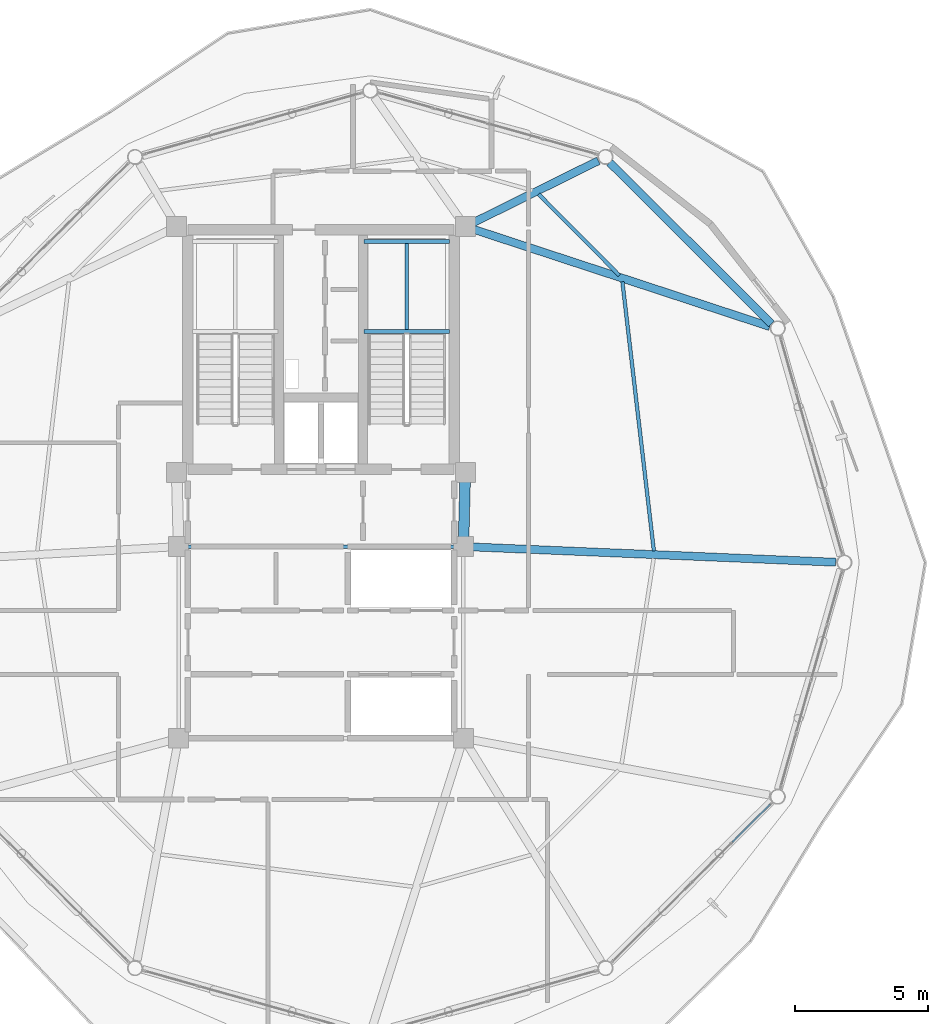
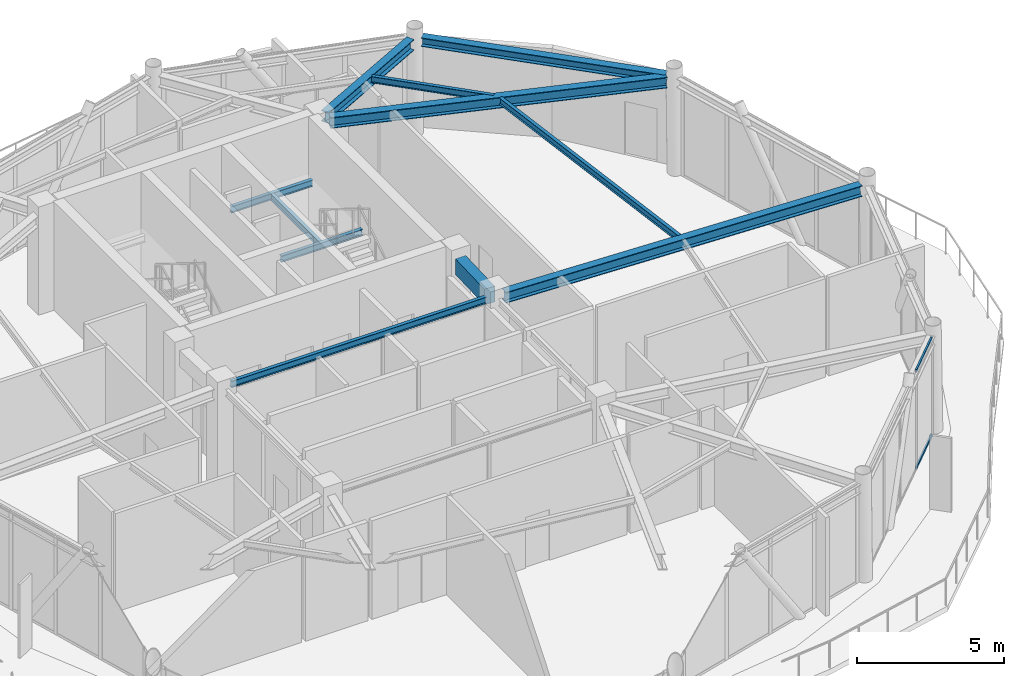
# One storey, part 12 of 24: 11 beams, 2 members, 1 element without a shape of its own.
"""IFC4 building model written with IfcOpenShell, lengths in metres."""

from ifc_helpers import new_model, si_unit, direction, frame, origin, origin_2d, place, context, subcontext, project, spatial, rectangle, hollow_rectangle, i_section, extrude, material, layer, layer_set, material_profile, profile_set, type_object, element, aggregate, save


model = new_model("IFC4")

# Units and contexts
model_context = context("Model", 3, precision=1e-05, world=origin(), true_north=direction((0.0, 1.0)))
body_context = subcontext(model_context, "Body", "Model", "MODEL_VIEW")
ifc_project = project(units=[si_unit("LENGTHUNIT", "METRE"), si_unit("AREAUNIT", "SQUARE_METRE"), si_unit("VOLUMEUNIT", "CUBIC_METRE"), si_unit("PLANEANGLEUNIT", "RADIAN"), si_unit("MASSUNIT", "GRAM", prefix="KILO")], contexts=[model_context])

# Site, building, storey
site_placement = place(None, origin())
site = spatial("IfcSite", under=ifc_project, at=site_placement, CompositionType="ELEMENT")
building_placement = place(site_placement, origin())
building = spatial("IfcBuilding", under=site, at=building_placement, Name="Varnakorn Sky Granary", CompositionType="ELEMENT")
storey_placement = place(building_placement, frame((0.0, 0.0, 285.0)))
storey = spatial("IfcBuildingStorey", under=building, at=storey_placement, Name="L73", CompositionType="ELEMENT", Elevation=285.0)

# Beams
ifc_material_1 = material(Name="Concrete C50/60", Category="concrete")
ifc_material_profile_1 = material_profile(ifc_material_1, rectangle(XDim=0.39990234375, YDim=0.64990234375, at=origin_2d()), Name="RC 400x650")
ifc_profile_set_1 = profile_set([ifc_material_profile_1], Name="Concrete C50/60")
beam_type_1 = type_object("IfcBeamType", Name="BM-LIN-650", PredefinedType="LINTEL", material=ifc_profile_set_1)
beam_1_placement = place(storey_placement, frame((8.4111328125, 3.025146484375, 3.7548828125), z_axis=(-0.025227817192, -0.999681727971, 0.0), x_axis=(0.999681727971, -0.025227817192, 0.0)))
element("IfcBeam", 1, at=beam_1_placement, inside=storey, type_object=beam_type_1, Name="Core Spine Framing Beam 2 L73", PredefinedType="LINTEL", context=body_context, shape_type="SweptSolid", body=[
    extrude(rectangle(XDim=0.39990234375, YDim=0.64990234375, at=origin_2d()), origin(), (0.0, 0.0, 1.0), 2.071044921875),
])
ifc_material_2 = material(Name="Steel S355JR", Category="steel")
ifc_material_profile_2 = material_profile(ifc_material_2, i_section(OverallWidth=0.135009765625, OverallDepth=0.27001953125, WebThickness=0.006591796875, FlangeThickness=0.01025390625, at=origin_2d()), Name="IPE 270")
ifc_profile_set_2 = profile_set([ifc_material_profile_2], Name="Steel S355JR")
beam_type_2 = type_object("IfcBeamType", Name="BM-LND-270", PredefinedType="BEAM", material=ifc_profile_set_2)
for number, where, z_axis, x_axis, name in (
    (2, (4.6201171875, 8.679931640625, 1.9150390625), (1.0, 0.0, 0.0), (0.0, 1.0, 0.0), "Stair ST-2 Landing Trimmer Beam A L73-1"),
    (3, (4.6201171875, 12.06005859375, 1.9150390625), (1.0, 0.0, 0.0), (0.0, 1.0, 0.0), "Stair ST-2 Landing Trimmer Beam B L73-1"),
):
    element("IfcBeam", number, at=place(storey_placement, frame(where, z_axis=z_axis, x_axis=x_axis)), inside=storey, type_object=beam_type_2, Name=name, PredefinedType="BEAM", context=body_context, shape_type="SweptSolid", body=[
        extrude(i_section(OverallWidth=0.135009765625, OverallDepth=0.27001953125, WebThickness=0.006591796875, FlangeThickness=0.01025390625, at=origin_2d()), origin(), (0.0, 0.0, 1.0), 3.199951171875),
    ])
beam_2_placement = place(storey_placement, frame((6.219970703125, 8.679931640625, 1.9150390625), z_axis=(0.0, 1.0, 0.0), x_axis=(-1.0, 0.0, 0.0)))
element("IfcBeam", 4, at=beam_2_placement, inside=storey, type_object=beam_type_2, Name="Stair ST-2 Landing Cross Beam C L73-1", PredefinedType="BEAM", context=body_context, shape_type="SweptSolid", body=[
    extrude(i_section(OverallWidth=0.135009765625, OverallDepth=0.27001953125, WebThickness=0.006591796875, FlangeThickness=0.01025390625, at=origin_2d()), origin(), (0.0, 0.0, 1.0), 3.380126953125),
])
ifc_material_profile_3 = material_profile(ifc_material_2, i_section(OverallWidth=0.300048828125, OverallDepth=0.449951171875, WebThickness=0.013916015625, FlangeThickness=0.02587890625, at=origin_2d()), Name="HE 450 B")
ifc_profile_set_3 = profile_set([ifc_material_profile_3], Name="Steel S355JR")
beam_type_3 = type_object("IfcBeamType", Name="BM-RAD-Z5", PredefinedType="BEAM", material=ifc_profile_set_3)
beam_3_placement = place(storey_placement, frame((8.70458984375, 0.585205078125, 3.85498046875), z_axis=(0.999113895041, -0.042088296906, 0.0), x_axis=(0.042088296906, 0.999113895041, 0.0)))
element("IfcBeam", 5, at=beam_3_placement, inside=storey, type_object=beam_type_3, Name="Radial Floor Girder RG01 L73", PredefinedType="BEAM", context=body_context, shape_type="SweptSolid", body=[
    extrude(i_section(OverallWidth=0.300048828125, OverallDepth=0.449951171875, WebThickness=0.013916015625, FlangeThickness=0.02587890625, at=origin_2d()), origin(), (0.0, 0.0, 1.0), 13.643310546875),
])
beam_4_placement = place(storey_placement, frame((8.75732421875, 12.50927734375, 3.85498046875), z_axis=(0.950074513086, -0.312023107453, 0.0), x_axis=(0.312023107453, 0.950074513086, 0.0)))
element("IfcBeam", 6, at=beam_4_placement, inside=storey, type_object=beam_type_3, Name="Radial Floor Girder RG02 L73", PredefinedType="BEAM", context=body_context, shape_type="SweptSolid", body=[
    extrude(i_section(OverallWidth=0.300048828125, OverallDepth=0.449951171875, WebThickness=0.013916015625, FlangeThickness=0.02587890625, at=origin_2d()), origin(), (0.0, 0.0, 1.0), 11.679443359375),
])
beam_5_placement = place(storey_placement, frame((8.73828125, 12.77734375, 3.85498046875), z_axis=(0.896251632853, 0.443545950955, 0.0), x_axis=(-0.443545950955, 0.896251632853, 0.0)))
element("IfcBeam", 7, at=beam_5_placement, inside=storey, type_object=beam_type_3, Name="Radial Floor Girder RG03 L73", PredefinedType="BEAM", context=body_context, shape_type="SweptSolid", body=[
    extrude(i_section(OverallWidth=0.300048828125, OverallDepth=0.449951171875, WebThickness=0.013916015625, FlangeThickness=0.02587890625, at=origin_2d()), origin(), (0.0, 0.0, 1.0), 5.22412109375),
])
ifc_material_profile_4 = material_profile(ifc_material_2, i_section(OverallWidth=0.135009765625, OverallDepth=0.27001953125, WebThickness=0.006591796875, FlangeThickness=0.01025390625, at=origin_2d()), Name="IPE 270")
ifc_profile_set_4 = profile_set([ifc_material_profile_4], Name="Steel S355JR")
beam_type_4 = type_object("IfcBeamType", Name="BM-SEC-Z5", PredefinedType="BEAM", material=ifc_profile_set_4)
beam_6_placement = place(storey_placement, frame((15.50390625, 0.437255859375, 3.945068359375), z_axis=(-0.116125981815, 0.993234492125, 0.0), x_axis=(-0.993234492125, -0.116125981815, 0.0)))
element("IfcBeam", 8, at=beam_6_placement, inside=storey, type_object=beam_type_4, Name="Secondary Floor Chord Beam MSB01 L73", PredefinedType="BEAM", context=body_context, shape_type="SweptSolid", body=[
    extrude(i_section(OverallWidth=0.135009765625, OverallDepth=0.27001953125, WebThickness=0.006591796875, FlangeThickness=0.01025390625, at=origin_2d()), origin(), (0.0, 0.0, 1.0), 10.1796875),
])
beam_7_placement = place(storey_placement, frame((14.206787109375, 10.786376953125, 3.945068359375), z_axis=(-0.704603368992, 0.709601361614, 0.0), x_axis=(-0.709601361614, -0.704603368992, 0.0)))
element("IfcBeam", 9, at=beam_7_placement, inside=storey, type_object=beam_type_4, Name="Secondary Floor Chord Beam MSB02 L73", PredefinedType="BEAM", context=body_context, shape_type="SweptSolid", body=[
    extrude(i_section(OverallWidth=0.135009765625, OverallDepth=0.27001953125, WebThickness=0.006591796875, FlangeThickness=0.01025390625, at=origin_2d()), origin(), (0.0, 0.0, 1.0), 4.298583984375),
])
beam_8_placement = place(storey_placement, frame((-1.9951171875, 0.60009765625, 3.945068359375), z_axis=(1.0, 0.0, 0.0), x_axis=(0.0, 1.0, 0.0)))
element("IfcBeam", 10, at=beam_8_placement, inside=storey, type_object=beam_type_4, Name="Core Spine Framing Beam 5 L73", PredefinedType="BEAM", context=body_context, shape_type="SweptSolid", body=[
    extrude(i_section(OverallWidth=0.135009765625, OverallDepth=0.27001953125, WebThickness=0.006591796875, FlangeThickness=0.01025390625, at=origin_2d()), origin(), (0.0, 0.0, 1.0), 9.990234375),
])
ifc_material_profile_5 = material_profile(ifc_material_2, i_section(OverallWidth=0.300048828125, OverallDepth=0.360107421875, WebThickness=0.012451171875, FlangeThickness=0.0224609375, at=origin_2d()), Name="HE 360 B")
ifc_profile_set_5 = profile_set([ifc_material_profile_5], Name="Steel S355JR")
beam_type_5 = type_object("IfcBeamType", Name="BM-SPD-Z5", PredefinedType="SPANDREL", material=ifc_profile_set_5)
beam_9_placement = place(storey_placement, frame((19.917724609375, 8.96923828125, 3.89990234375), z_axis=(-0.708116637558, 0.706095480522, 0.0), x_axis=(-0.706095480522, -0.708116637558, 0.0)))
element("IfcBeam", 11, at=beam_9_placement, inside=storey, type_object=beam_type_5, Name="Perimeter Spandrel Ring Beam RB02 L73", PredefinedType="SPANDREL", context=body_context, shape_type="SweptSolid", body=[
    extrude(i_section(OverallWidth=0.300048828125, OverallDepth=0.360107421875, WebThickness=0.012451171875, FlangeThickness=0.0224609375, at=origin_2d()), origin(), (0.0, 0.0, 1.0), 8.576171875),
])

# Curtain wall, members
ifc_material_3 = material(Name="Anodised Bronze Aluminium Alloy 6063-T6", Category="aluminium")
ifc_layer = layer(ifc_material_3, 0.159912109375, Name="Anodised Bronze Aluminium Alloy 6063-T6")
ifc_layer_set = layer_set([ifc_layer], Name="Anodised Bronze Aluminium Alloy 6063-T6")
curtain_wall_type = type_object("IfcCurtainWallType", Name="CW-OFF-1", PredefinedType="USERDEFINED", material=ifc_layer_set)
curtain_wall_placement = place(storey_placement, origin())
curtain_wall = element("IfcCurtainWall", 12, at=curtain_wall_placement, inside=storey, type_object=curtain_wall_type, Name="Unitised Curtain Wall CW6 CW-L73-B11", ObjectType="CURTAIN WALL", PredefinedType="USERDEFINED")
ifc_material_profile_6 = material_profile(ifc_material_3, hollow_rectangle(XDim=0.06494140625, YDim=0.1201171875, WallThickness=0.00341796875, at=origin_2d()), Name="ALU TRAN 65x120")
ifc_profile_set_6 = profile_set([ifc_material_profile_6], Name="Anodised Bronze Aluminium Alloy 6063-T6")
member_type = type_object("IfcMemberType", Name="CW-OFF-1-TRAN", PredefinedType="USERDEFINED", material=ifc_profile_set_6)
member_1_placement = place(storey_placement, frame((19.877197265625, -9.0849609375, 0.032470703125), z_axis=(-0.708800442822, -0.705409053143, 0.0), x_axis=(0.705409053143, -0.708800442822, 0.0)))
member_1 = element("IfcMember", 13, at=member_1_placement, type_object=member_type, Name="CW6 transom 1.1", ObjectType="TRANSOM", PredefinedType="USERDEFINED", context=body_context, shape_type="SweptSolid", body=[
    extrude(hollow_rectangle(XDim=0.06494140625, YDim=0.1201171875, WallThickness=0.00341796875, at=origin_2d()), origin(), (0.0, 0.0, 1.0), 2.015625),
])
member_2_placement = place(storey_placement, frame((19.877197265625, -9.0849609375, 4.047607421875), z_axis=(-0.708800442822, -0.705409053143, 0.0), x_axis=(0.705409053143, -0.708800442822, 0.0)))
member_2 = element("IfcMember", 14, at=member_2_placement, type_object=member_type, Name="CW6 transom 1.2", ObjectType="TRANSOM", PredefinedType="USERDEFINED", context=body_context, shape_type="SweptSolid", body=[
    extrude(hollow_rectangle(XDim=0.06494140625, YDim=0.1201171875, WallThickness=0.00341796875, at=origin_2d()), origin(), (0.0, 0.0, 1.0), 2.015625),
])
aggregate(curtain_wall, [member_1, member_2])

save(model, "model.ifc")
